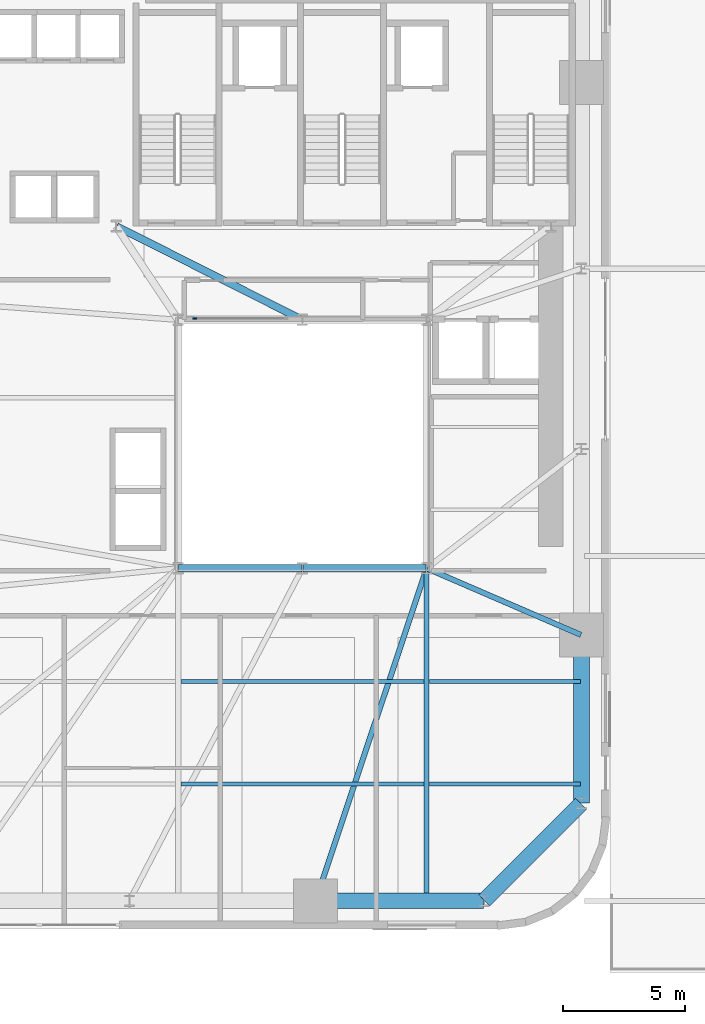
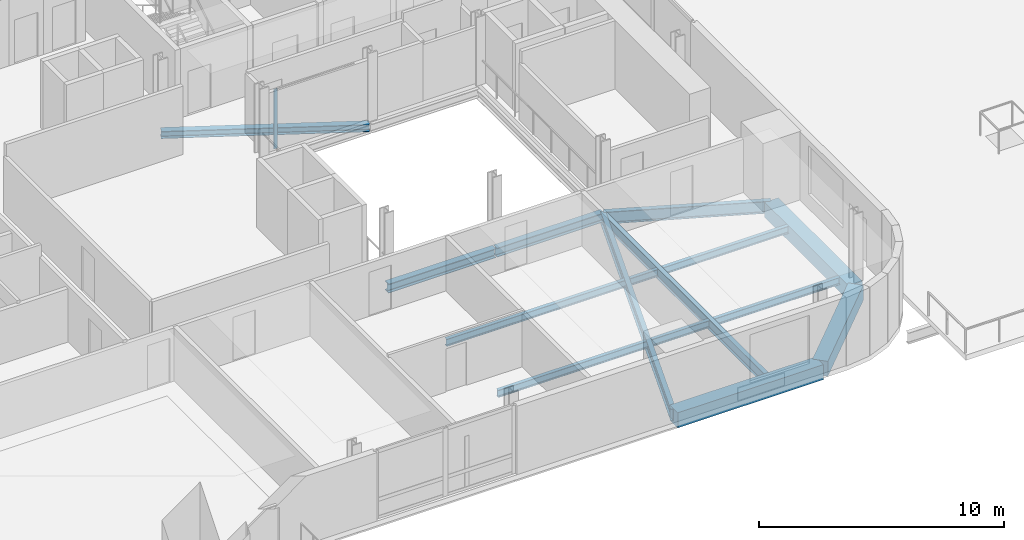
# One storey, part 3 of 18: 13 beams, 1 member, 1 element without a shape of its own.
"""IFC4 building model written with IfcOpenShell, lengths in metres."""

from ifc_helpers import new_model, si_unit, direction, frame, origin, origin_2d, place, context, subcontext, project, spatial, rectangle, i_section, extrude, source, transform, mapped, material, material_profile, profile_set, type_object, element, aggregate, save


model = new_model("IFC4")

# Units and contexts
model_context = context("Model", 3, precision=1e-05, world=origin(), true_north=direction((0.0, 1.0)))
body_context = subcontext(model_context, "Body", "Model", "MODEL_VIEW")
ifc_project = project(units=[si_unit("LENGTHUNIT", "METRE"), si_unit("AREAUNIT", "SQUARE_METRE"), si_unit("VOLUMEUNIT", "CUBIC_METRE"), si_unit("PLANEANGLEUNIT", "RADIAN"), si_unit("MASSUNIT", "GRAM", prefix="KILO")], contexts=[model_context])

# Site, building, storey
site_placement = place(None, origin())
site = spatial("IfcSite", under=ifc_project, at=site_placement, CompositionType="ELEMENT")
building_placement = place(site_placement, origin())
building = spatial("IfcBuilding", under=site, at=building_placement, Name="Vardaveli Station Tower", CompositionType="ELEMENT")
storey_placement = place(building_placement, frame((0.0, 0.0, 27.60009765625)))
storey = spatial("IfcBuildingStorey", under=building, at=storey_placement, Name="L06", CompositionType="ELEMENT", Elevation=27.60009765625)

# Beams
ifc_material_1 = material(Name="Structural steel S355J2", Category="steel")
ifc_material_profile_1 = material_profile(ifc_material_1, i_section(OverallWidth=0.300048828125, OverallDepth=0.449951171875, WebThickness=0.013916015625, FlangeThickness=0.02587890625, FilletRadius=0.027099609375, at=origin_2d()), Name="HEB 450")
ifc_profile_set_1 = profile_set([ifc_material_profile_1], Name="Structural steel S355J2")
beam_type_1 = type_object("IfcBeamType", Name="BM-HEB450", PredefinedType="BEAM", material=ifc_profile_set_1)
shared_shape_1 = source(origin(), body_context, "Body", "SweptSolid", [
    extrude(i_section(OverallWidth=0.300048828125, OverallDepth=0.449951171875, WebThickness=0.013916015625, FlangeThickness=0.02587890625, FilletRadius=0.027099609375, at=origin_2d()), origin(), (0.0, 0.0, 1.0), 5.06005859375),
])
beam_1_placement = place(storey_placement, frame((31.219970703125, 16.60009765625, -0.465087890625), z_axis=(1.0, 0.0, 0.0), x_axis=(0.0, 1.0, 0.0)))
element("IfcBeam", 1, at=beam_1_placement, inside=storey, type_object=beam_type_1, Name="ABM-L06-01", PredefinedType="BEAM", context=body_context, shape_type="MappedRepresentation", body=[
    mapped(shared_shape_1, transform((0.0, 0.0, 0.0), scale=1.0)),
])
shared_shape_2 = source(origin(), body_context, "Body", "SweptSolid", [
    extrude(i_section(OverallWidth=0.300048828125, OverallDepth=0.449951171875, WebThickness=0.013916015625, FlangeThickness=0.02587890625, FilletRadius=0.027099609375, at=origin_2d()), origin(), (0.0, 0.0, 1.0), 5.059814453125),
])
beam_2_placement = place(storey_placement, frame((36.320068359375, 16.60009765625, -0.465087890625), z_axis=(1.0, 0.0, 0.0), x_axis=(0.0, 1.0, 0.0)))
element("IfcBeam", 2, at=beam_2_placement, inside=storey, type_object=beam_type_1, Name="ABM-L06-02", PredefinedType="BEAM", context=body_context, shape_type="MappedRepresentation", body=[
    mapped(shared_shape_2, transform((0.0, 0.0, 0.0), scale=1.0)),
])
ifc_material_profile_2 = material_profile(ifc_material_1, i_section(OverallWidth=0.300048828125, OverallDepth=0.360107421875, WebThickness=0.012451171875, FlangeThickness=0.0224609375, FilletRadius=0.027099609375, at=origin_2d()), Name="HEB 360")
ifc_profile_set_2 = profile_set([ifc_material_profile_2], Name="Structural steel S355J2")
beam_type_2 = type_object("IfcBeamType", Name="BM-HEB360", PredefinedType="BEAM", material=ifc_profile_set_2)
shared_shape_3 = source(origin(), body_context, "Body", "SweptSolid", [
    extrude(i_section(OverallWidth=0.300048828125, OverallDepth=0.360107421875, WebThickness=0.012451171875, FlangeThickness=0.0224609375, FilletRadius=0.027099609375, at=origin_2d()), origin(), (0.0, 0.0, 1.0), 8.524169921875),
])
beam_3_placement = place(storey_placement, frame((28.66796875, 30.64111328125, -0.420166015625), z_axis=(0.893255584708, -0.449549174605, 0.0), x_axis=(0.449549174605, 0.893255584708, 0.0)))
element("IfcBeam", 3, at=beam_3_placement, inside=storey, type_object=beam_type_2, Name="CBM-L06-03", PredefinedType="BEAM", context=body_context, shape_type="MappedRepresentation", body=[
    mapped(shared_shape_3, transform((0.0, 0.0, 0.0), scale=1.0)),
])
ifc_material_2 = material(Name="Precast concrete C45/55", Category="concrete")
ifc_material_profile_3 = material_profile(ifc_material_2, rectangle(XDim=0.64990234375, YDim=0.75, at=origin_2d()), Name="LPB 650x750")
ifc_profile_set_3 = profile_set([ifc_material_profile_3], Name="Precast concrete C45/55")
beam_type_3 = type_object("IfcBeamType", Name="BM-LPB-750", PredefinedType="BEAM", material=ifc_profile_set_3)
shared_shape_4 = source(origin(), body_context, "Body", "SweptSolid", [
    extrude(rectangle(XDim=0.64990234375, YDim=0.75, at=origin_2d()), origin(), (0.0, 0.0, 1.0), 6.869873046875),
])
beam_4_placement = place(storey_placement, frame((36.860107421875, 2.949951171875, -0.614990234375), z_axis=(1.0, 0.0, 0.0), x_axis=(0.0, 1.0, 0.0)))
element("IfcBeam", 4, at=beam_4_placement, inside=storey, type_object=beam_type_3, Name="RBM-L06-04", PredefinedType="BEAM", context=body_context, shape_type="MappedRepresentation", body=[
    mapped(shared_shape_4, transform((0.0, 0.0, 0.0), scale=1.0)),
])
shared_shape_5 = source(origin(), body_context, "Body", "SweptSolid", [
    extrude(rectangle(XDim=0.64990234375, YDim=0.75, at=origin_2d()), origin(), (0.0, 0.0, 1.0), 5.61669921875),
])
beam_5_placement = place(storey_placement, frame((43.76416015625, 2.964111328125, -0.614990234375), z_axis=(0.707106781187, 0.707106781187, 0.0), x_axis=(-0.707106781187, 0.707106781187, 0.0)))
element("IfcBeam", 5, at=beam_5_placement, inside=storey, type_object=beam_type_3, Name="RBM-L06-05", PredefinedType="BEAM", context=body_context, shape_type="MappedRepresentation", body=[
    mapped(shared_shape_5, transform((0.0, 0.0, 0.0), scale=1.0)),
])
shared_shape_6 = source(origin(), body_context, "Body", "SweptSolid", [
    extrude(rectangle(XDim=0.64990234375, YDim=0.75, at=origin_2d()), origin(), (0.0, 0.0, 1.0), 6.8701171875),
])
beam_6_placement = place(storey_placement, frame((47.75, 6.969970703125, -0.614990234375), z_axis=(0.0, 1.0, 0.0), x_axis=(-1.0, 0.0, 0.0)))
element("IfcBeam", 6, at=beam_6_placement, inside=storey, type_object=beam_type_3, Name="RBM-L06-06", PredefinedType="BEAM", context=body_context, shape_type="MappedRepresentation", body=[
    mapped(shared_shape_6, transform((0.0, 0.0, 0.0), scale=1.0)),
])
ifc_material_profile_4 = material_profile(ifc_material_1, i_section(OverallWidth=0.219970703125, OverallDepth=0.60009765625, WebThickness=0.011962890625, FlangeThickness=0.01904296875, FilletRadius=0.02392578125, at=origin_2d()), Name="IPE 600")
ifc_profile_set_4 = profile_set([ifc_material_profile_4], Name="Structural steel S355J2")
beam_type_4 = type_object("IfcBeamType", Name="BM-IPE600", PredefinedType="BEAM", material=ifc_profile_set_4)
shared_shape_7 = source(origin(), body_context, "Body", "SweptSolid", [
    extrude(i_section(OverallWidth=0.219970703125, OverallDepth=0.60009765625, WebThickness=0.011962890625, FlangeThickness=0.01904296875, FilletRadius=0.02392578125, at=origin_2d()), origin(), (0.0, 0.0, 1.0), 14.3515625),
])
beam_7_placement = place(storey_placement, frame((36.846435546875, 2.968994140625, -0.5400390625), z_axis=(0.316840115921, 0.948478961782, 0.0), x_axis=(-0.948478961782, 0.316840115921, 0.0)))
element("IfcBeam", 7, at=beam_7_placement, inside=storey, type_object=beam_type_4, Name="GBM-L06-04", PredefinedType="BEAM", context=body_context, shape_type="MappedRepresentation", body=[
    mapped(shared_shape_7, transform((0.0, 0.0, 0.0), scale=1.0)),
])
shared_shape_8 = source(origin(), body_context, "Body", "SweptSolid", [
    extrude(i_section(OverallWidth=0.219970703125, OverallDepth=0.60009765625, WebThickness=0.011962890625, FlangeThickness=0.01904296875, FilletRadius=0.02392578125, at=origin_2d()), origin(), (0.0, 0.0, 1.0), 6.8759765625),
])
beam_8_placement = place(storey_placement, frame((47.731689453125, 13.867919921875, -0.5400390625), z_axis=(-0.918170694621, 0.396185026899, 0.0), x_axis=(-0.396185026899, -0.918170694621, 0.0)))
element("IfcBeam", 8, at=beam_8_placement, inside=storey, type_object=beam_type_4, Name="GBM-L06-05", PredefinedType="BEAM", context=body_context, shape_type="MappedRepresentation", body=[
    mapped(shared_shape_8, transform((0.0, 0.0, 0.0), scale=1.0)),
])
ifc_material_profile_5 = material_profile(ifc_material_1, i_section(OverallWidth=0.2099609375, OverallDepth=0.550048828125, WebThickness=0.010986328125, FlangeThickness=0.01708984375, FilletRadius=0.02392578125, at=origin_2d()), Name="IPE 550")
ifc_profile_set_5 = profile_set([ifc_material_profile_5], Name="Structural steel S355J2")
beam_type_5 = type_object("IfcBeamType", Name="BM-IPE550", PredefinedType="BEAM", material=ifc_profile_set_5)
shared_shape_9 = source(origin(), body_context, "Body", "SweptSolid", [
    extrude(i_section(OverallWidth=0.2099609375, OverallDepth=0.550048828125, WebThickness=0.010986328125, FlangeThickness=0.01708984375, FilletRadius=0.02392578125, at=origin_2d()), origin(), (0.0, 0.0, 1.0), 13.469970703125),
])
beam_9_placement = place(storey_placement, frame((41.39990234375, 2.989990234375, -0.51513671875), z_axis=(0.0, 1.0, 0.0), x_axis=(-1.0, 0.0, 0.0)))
element("IfcBeam", 9, at=beam_9_placement, inside=storey, type_object=beam_type_5, Name="NSM-L06-S2", PredefinedType="BEAM", context=body_context, shape_type="MappedRepresentation", body=[
    mapped(shared_shape_9, transform((0.0, 0.0, 0.0), scale=1.0)),
])
ifc_material_profile_6 = material_profile(ifc_material_1, i_section(OverallWidth=0.169921875, OverallDepth=0.360107421875, WebThickness=0.008056640625, FlangeThickness=0.0126953125, FilletRadius=0.01806640625, at=origin_2d()), Name="IPE 360")
ifc_profile_set_6 = profile_set([ifc_material_profile_6], Name="Structural steel S355J2")
beam_type_6 = type_object("IfcBeamType", Name="BM-IPE360", PredefinedType="JOIST", material=ifc_profile_set_6)
shared_shape_10 = source(origin(), body_context, "Body", "SweptSolid", [
    extrude(i_section(OverallWidth=0.169921875, OverallDepth=0.360107421875, WebThickness=0.008056640625, FlangeThickness=0.0126953125, FilletRadius=0.01806640625, at=origin_2d()), origin(), (0.0, 0.0, 1.0), 9.97607421875),
])
for number, where, z_axis, x_axis, name in (
    (10, (31.31201171875, 7.75, -0.420166015625), (1.0, 0.0, 0.0), (0.0, 1.0, 0.0), "SJ-L06-S02"),
    (11, (31.31201171875, 11.949951171875, -0.420166015625), (1.0, 0.0, 0.0), (0.0, 1.0, 0.0), "SJ-L06-S05"),
):
    element("IfcBeam", number, at=place(storey_placement, frame(where, z_axis=z_axis, x_axis=x_axis)), inside=storey, type_object=beam_type_6, Name=name, PredefinedType="JOIST", context=body_context, shape_type="MappedRepresentation", body=[
        mapped(shared_shape_10, transform((0.0, 0.0, 0.0), scale=1.0)),
    ])
shared_shape_11 = source(origin(), body_context, "Body", "SweptSolid", [
    extrude(i_section(OverallWidth=0.169921875, OverallDepth=0.360107421875, WebThickness=0.008056640625, FlangeThickness=0.0126953125, FilletRadius=0.01806640625, at=origin_2d()), origin(), (0.0, 0.0, 1.0), 6.197998046875),
])
for number, where, z_axis, x_axis, name in (
    (12, (41.511962890625, 7.75, -0.420166015625), (1.0, 0.0, 0.0), (0.0, 1.0, 0.0), "SJ-L06-S03"),
    (13, (41.511962890625, 11.949951171875, -0.420166015625), (1.0, 0.0, 0.0), (0.0, 1.0, 0.0), "SJ-L06-S06"),
):
    element("IfcBeam", number, at=place(storey_placement, frame(where, z_axis=z_axis, x_axis=x_axis)), inside=storey, type_object=beam_type_6, Name=name, PredefinedType="JOIST", context=body_context, shape_type="MappedRepresentation", body=[
        mapped(shared_shape_11, transform((0.0, 0.0, 0.0), scale=1.0)),
    ])

# Curtain wall, member
ifc_material_3 = material(Name="Travertine stone and solar-control glass", Category="masonry")
curtain_wall_type = type_object("IfcCurtainWallType", Name="CW-SYS-4", PredefinedType="NOTDEFINED", material=ifc_material_3)
curtain_wall_placement = place(storey_placement, origin())
curtain_wall = element("IfcCurtainWall", 14, at=curtain_wall_placement, inside=storey, type_object=curtain_wall_type, Name="CW-L06-ATN", PredefinedType="NOTDEFINED")
ifc_material_4 = material(Name="Anodised aluminium alloy 6063-T6", Category="aluminium")
ifc_material_profile_7 = material_profile(ifc_material_4, rectangle(XDim=0.070068359375, YDim=0.1650390625, at=origin_2d()), Name="CWM 70x165")
ifc_profile_set_7 = profile_set([ifc_material_profile_7], Name="Anodised aluminium alloy 6063-T6")
member_type = type_object("IfcMemberType", Name="CW-SYS-4-MULL", PredefinedType="MULLION", material=ifc_profile_set_7)
shared_shape_12 = source(origin(), body_context, "Body", "SweptSolid", [
    extrude(rectangle(XDim=0.070068359375, YDim=0.1650390625, at=origin_2d()), origin(), (0.0, 0.0, 1.0), 2.949951171875),
])
member_placement = place(storey_placement, frame((31.885009765625, 26.85009765625, 0.0), z_axis=(0.0, 0.0, 1.0), x_axis=(0.0, 1.0, 0.0)))
member = element("IfcMember", 15, at=member_placement, type_object=member_type, Name="CW-4 mullion 1", PredefinedType="MULLION", context=body_context, shape_type="MappedRepresentation", body=[
    mapped(shared_shape_12, transform((0.0, 0.0, 0.0), scale=1.0)),
])
aggregate(curtain_wall, [member])

save(model, "model.ifc")
